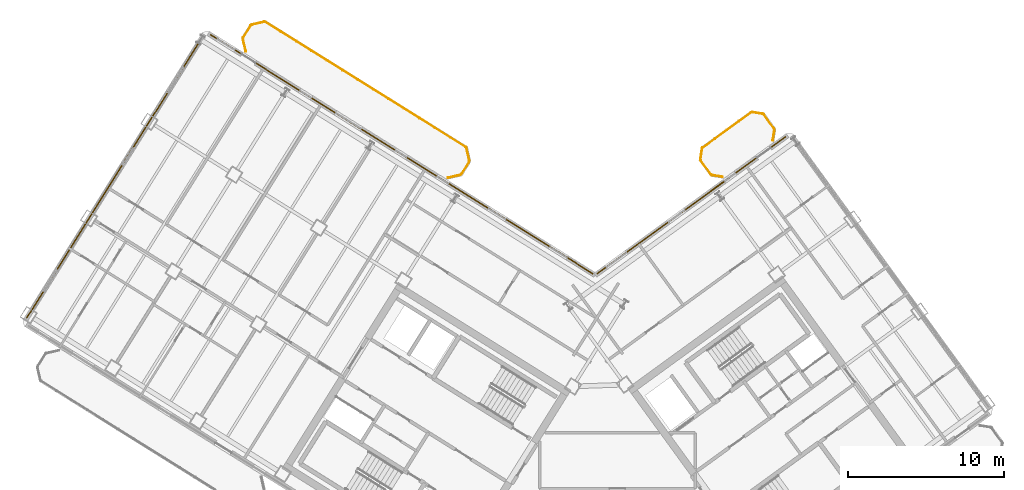
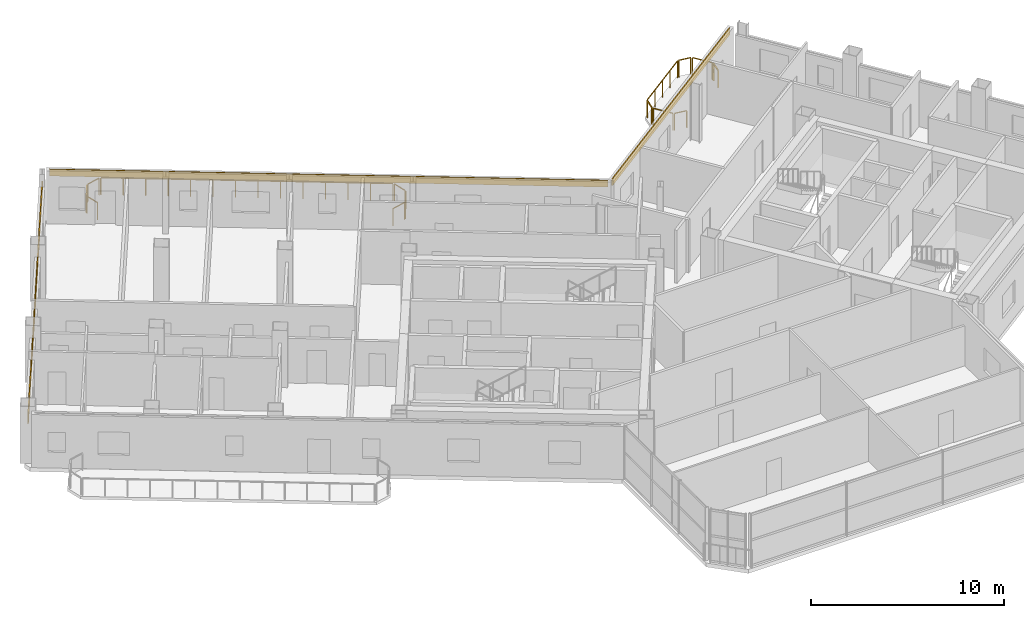
# One storey, part 21 of 21: 14 railings, 3 coverings.
"""IFC4 building model written with IfcOpenShell, lengths in metres."""

import ifcopenshell
import ifcopenshell.guid

model = None  # the IFC model being written
_history = None  # IfcOwnerHistory: only IFC2X3 demands one
_inside = {}  # id of a spatial element -> (the spatial element, [elements in it])
_under = {}  # id of a project, library or spatial element -> (it, [spatial elements below it])
_declared = {}  # id of a project -> (the project, [libraries it declares])
_typed = {}  # id of a type object -> (the type object, [elements of that type])
_made_of = {}  # id of a material, layer set ... -> (it, [elements and type objects made of it])


def new_model(schema):
    """Start an empty IFC model of exactly this schema.

    Asked for "IFC4X3", IfcOpenShell would pick the latest addendum, in which some entities
    have other attributes; the version numbers below select the first issue.
    IFC2X3 requires an IfcOwnerHistory on every rooted entity: one is made here for all.
    """
    global model, _history
    if schema == "IFC4X3":
        model = ifcopenshell.file(schema_version=(4, 3, 0, 0))
    else:
        model = ifcopenshell.file(schema=schema)
    _inside.clear()
    _under.clear()
    _declared.clear()
    _typed.clear()
    _made_of.clear()
    _history = None
    if model.schema == "IFC2X3":
        org = make("IfcOrganization", Name="unknown")
        user = make(
            "IfcPersonAndOrganization",
            ThePerson=make("IfcPerson", FamilyName="unknown"),
            TheOrganization=org,
        )
        app = make(
            "IfcApplication",
            ApplicationDeveloper=org,
            Version="unknown",
            ApplicationFullName="unknown",
            ApplicationIdentifier="unknown",
        )
        _history = make(
            "IfcOwnerHistory",
            OwningUser=user,
            OwningApplication=app,
            ChangeAction="ADDED",
            CreationDate=0,
        )
    return model


def make(cls, **values):
    """One entity of the class cls with the attributes given. An attribute that is None is left unset."""
    return model.create_entity(
        cls, **{name: value for name, value in values.items() if value is not None}
    )


def rooted(cls, **values):
    """An entity with a GlobalId (a new one), such as an element, a storey or a relation."""
    return make(cls, GlobalId=ifcopenshell.guid.new(), OwnerHistory=_history, **values)


def si_unit(unit_type, name, prefix=None):
    """IfcSIUnit, for example si_unit("LENGTHUNIT", "METRE", prefix="MILLI")."""
    return make("IfcSIUnit", UnitType=unit_type, Prefix=prefix, Name=name)


def assignment(units):
    """IfcUnitAssignment: the units of a project."""
    return None if units is None else make("IfcUnitAssignment", Units=units)


def point(xyz):
    """IfcCartesianPoint."""
    return None if xyz is None else make("IfcCartesianPoint", Coordinates=xyz)


def direction(xyz):
    """IfcDirection."""
    return None if xyz is None else make("IfcDirection", DirectionRatios=xyz)


def frame(location, z_axis=None, x_axis=None):
    """IfcAxis2Placement3D, a coordinate frame: its origin and axes. An axis left out is left unset."""
    return make(
        "IfcAxis2Placement3D",
        Location=point(location),
        Axis=direction(z_axis),
        RefDirection=direction(x_axis),
    )


def frame_2d(location, x_axis=None):
    """IfcAxis2Placement2D, a coordinate frame in the plane: its origin and x axis."""
    return make(
        "IfcAxis2Placement2D", Location=point(location), RefDirection=direction(x_axis)
    )


def origin():
    """The frame at (0, 0, 0) with its axes left unset."""
    return frame((0.0, 0.0, 0.0))


def origin_2d():
    """The frame at (0, 0) in the plane with its x axis left unset."""
    return frame_2d((0.0, 0.0))


def place(relative_to, where):
    """IfcLocalPlacement: puts the frame where relative to a parent placement (None: the world)."""
    return make(
        "IfcLocalPlacement", PlacementRelTo=relative_to, RelativePlacement=where
    )


def context(
    kind, dimensions, precision=None, world=None, true_north=None, identifier=None
):
    """IfcGeometricRepresentationContext, for example the 3D "Model" context."""
    return make(
        "IfcGeometricRepresentationContext",
        ContextIdentifier=identifier,
        ContextType=kind,
        CoordinateSpaceDimension=dimensions,
        Precision=precision,
        WorldCoordinateSystem=world,
        TrueNorth=true_north,
    )


def subcontext(parent, identifier, kind, view, scale=None):
    """IfcGeometricRepresentationSubContext, for example "Body" below "Model"."""
    return make(
        "IfcGeometricRepresentationSubContext",
        ContextIdentifier=identifier,
        ContextType=kind,
        ParentContext=parent,
        TargetScale=scale,
        TargetView=view,
    )


def project(units=None, contexts=None):
    """IfcProject with its units and contexts."""
    return rooted(
        "IfcProject",
        Name="project",
        RepresentationContexts=contexts,
        UnitsInContext=assignment(units),
    )


def spatial(cls, under=None, at=None, **own):
    """A site, building, storey or space (cls), placed at a placement, below another one or the project."""
    s = rooted(cls, ObjectPlacement=at, **own)
    if under is not None:
        _under.setdefault(under.id(), (under, []))[1].append(s)
    return s


def profile(cls, at=None, kind="AREA", **sizes):
    """A parametric profile (cls). Its sizes go by their IFC names, for example OverallWidth=200.0."""
    return make(cls, ProfileType=kind, Position=at, **sizes)


def rectangle(**sizes):
    """IfcRectangleProfileDef."""
    return profile("IfcRectangleProfileDef", **sizes)


def extrude(swept, where, along, depth):
    """IfcExtrudedAreaSolid: the profile swept, set in the frame where, extruded along a direction by depth."""
    return make(
        "IfcExtrudedAreaSolid",
        SweptArea=swept,
        Position=where,
        ExtrudedDirection=direction(along),
        Depth=depth,
    )


def shape(context_of_items, identifier, shape_type, items):
    """IfcShapeRepresentation: the items that make up one representation, for example the "Body"."""
    return make(
        "IfcShapeRepresentation",
        ContextOfItems=context_of_items,
        RepresentationIdentifier=identifier,
        RepresentationType=shape_type,
        Items=items,
    )


def source(mapping_origin, context_of_items, identifier, shape_type, items):
    """IfcRepresentationMap: a shape defined once, which mapped items show again and again."""
    return make(
        "IfcRepresentationMap",
        MappingOrigin=mapping_origin,
        MappedRepresentation=shape(context_of_items, identifier, shape_type, items),
    )


def transform(
    local_origin,
    x_axis=None,
    y_axis=None,
    z_axis=None,
    scale=None,
    scale2=None,
    scale3=None,
    uniform=True,
):
    """IfcCartesianTransformationOperator3D, or its non-uniform kind. x_axis, y_axis, z_axis: its Axis1, 2, 3."""
    if uniform:
        return make(
            "IfcCartesianTransformationOperator3D",
            Axis1=direction(x_axis),
            Axis2=direction(y_axis),
            LocalOrigin=point(local_origin),
            Scale=scale,
            Axis3=direction(z_axis),
        )
    return make(
        "IfcCartesianTransformationOperator3DnonUniform",
        Axis1=direction(x_axis),
        Axis2=direction(y_axis),
        LocalOrigin=point(local_origin),
        Scale=scale,
        Axis3=direction(z_axis),
        Scale2=scale2,
        Scale3=scale3,
    )


def mapped(mapping_source, mapping_target):
    """IfcMappedItem: shows the shape of a source again, moved by a transform."""
    return make(
        "IfcMappedItem", MappingSource=mapping_source, MappingTarget=mapping_target
    )


def material(Name=None, Category=None):
    """IfcMaterial."""
    return make("IfcMaterial", Name=Name, Category=Category)


def layer(
    of_material, thickness, ventilated=None, Name=None, Category=None, Priority=None
):
    """IfcMaterialLayer: one layer of a wall or slab, of a material (None: an air gap)."""
    return make(
        "IfcMaterialLayer",
        Material=of_material,
        LayerThickness=thickness,
        IsVentilated=ventilated,
        Name=Name,
        Category=Category,
        Priority=Priority,
    )


def layer_set(layers, Name=None):
    """IfcMaterialLayerSet."""
    return make("IfcMaterialLayerSet", MaterialLayers=layers, LayerSetName=Name)


def made_of(thing, what):
    """Note that an element or type object is made of a material, layer set ...; save() writes the relation."""
    if what is not None:
        _made_of.setdefault(what.id(), (what, []))[1].append(thing)
    return thing


def type_object(cls, material=None, **own):
    """A type object (cls), such as IfcWallType, which elements share."""
    return made_of(rooted(cls, **own), material)


def element(
    cls,
    number,
    at=None,
    inside=None,
    cuts=None,
    type_object=None,
    material=None,
    context=None,
    identifier="Body",
    shape_type=None,
    held_by="IfcProductDefinitionShape",
    body=None,
    shapes=None,
    **own,
):
    """One element of the class cls, such as IfcWall. Its Tag is "e" and its number.

    at: its placement. inside: the storey or other place that contains it. cuts: it is an
    opening in that element (IfcRelVoidsElement). A single representation is given by context,
    identifier, shape_type and body (its items); several are given by shapes. held_by: the class
    of the entity that holds the representations. save() writes the other relations.
    """
    e = rooted(cls, Tag="e%d" % number, ObjectPlacement=at, **own)
    if body is not None:
        shapes = [shape(context, identifier, shape_type, body)]
    if shapes is not None:
        e.Representation = make(held_by, Representations=shapes)
    if inside is not None:
        _inside.setdefault(inside.id(), (inside, []))[1].append(e)
    if cuts is not None:
        rooted(
            "IfcRelVoidsElement", RelatingBuildingElement=cuts, RelatedOpeningElement=e
        )
    if type_object is not None:
        _typed.setdefault(type_object.id(), (type_object, []))[1].append(e)
    return made_of(e, material)


def aggregate(whole, parts):
    """IfcRelAggregates: a whole, such as a stair, and the parts it consists of."""
    return rooted("IfcRelAggregates", RelatingObject=whole, RelatedObjects=parts)


def save(model, path):
    """Write the relations noted so far, then the file.

    IfcRelAggregates (storeys below a building ...), IfcRelContainedInSpatialStructure (elements
    in a storey), IfcRelDefinesByType, IfcRelAssociatesMaterial and IfcRelDeclares: one each for
    every whole, place, type object, material and project.
    """
    for whole, parts in _under.values():
        aggregate(whole, parts)
    for where, things in _inside.values():
        rooted(
            "IfcRelContainedInSpatialStructure",
            RelatedElements=things,
            RelatingStructure=where,
        )
    for kind, things in _typed.values():
        rooted("IfcRelDefinesByType", RelatedObjects=things, RelatingType=kind)
    for what, things in _made_of.values():
        rooted("IfcRelAssociatesMaterial", RelatedObjects=things, RelatingMaterial=what)
    for by, libraries in _declared.values():
        rooted("IfcRelDeclares", RelatingContext=by, RelatedDefinitions=libraries)
    model.write(path)


model = new_model("IFC4")

# Units and contexts
model_context = context("Model", 3, precision=1e-05, world=origin(), true_north=direction((0.0, 1.0)))
body_context = subcontext(model_context, "Body", "Model", "MODEL_VIEW")
ifc_project = project(units=[si_unit("LENGTHUNIT", "METRE"), si_unit("AREAUNIT", "SQUARE_METRE"), si_unit("VOLUMEUNIT", "CUBIC_METRE"), si_unit("PLANEANGLEUNIT", "RADIAN"), si_unit("MASSUNIT", "GRAM", prefix="KILO")], contexts=[model_context])

# Site, building, storey
site_placement = place(None, origin())
site = spatial("IfcSite", under=ifc_project, at=site_placement, CompositionType="ELEMENT")
building_placement = place(site_placement, origin())
building = spatial("IfcBuilding", under=site, at=building_placement, Name="Tlacorven Tower", CompositionType="ELEMENT")
storey_placement = place(building_placement, frame((0.0, 0.0, 214.800048828125)))
storey = spatial("IfcBuildingStorey", under=building, at=storey_placement, Name="L54", CompositionType="ELEMENT", Elevation=214.800048828125)

# Railings
ifc_material_1 = material(Name="Aluminium and painted steel balustrade", Category="steel")
railing_type = type_object("IfcRailingType", Name="RL-BAL-1100", PredefinedType="BALUSTRADE", material=ifc_material_1)
shared_shape_1 = source(origin(), body_context, "Body", "SweptSolid", [
    extrude(rectangle(XDim=0.048095703125, YDim=0.048095703125, at=origin_2d()), frame((0.0, 0.0, 1.076171875), z_axis=(0.974345290916, 0.225058334816, 0.0), x_axis=(-0.225058334816, 0.974345290916, 0.0)), (0.0, 0.0, 1.0), 0.80712890625),
    extrude(rectangle(XDim=0.0419921875, YDim=0.0419921875, at=origin_2d()), origin(), (0.0, 0.0, 1.0), 1.052001953125),
    extrude(rectangle(XDim=0.0419921875, YDim=0.0419921875, at=origin_2d()), frame((0.786376953125, 0.181640625, 0.0)), (0.0, 0.0, 1.0), 1.052001953125),
])
railing_1_placement = place(storey_placement, frame((20.2138671875, 47.643798828125, 0.0)))
element("IfcRailing", 1, at=railing_1_placement, inside=storey, type_object=railing_type, Name="BAL-L54-W-IN Guard Railing 6", PredefinedType="BALUSTRADE", context=body_context, shape_type="MappedRepresentation", body=[
    mapped(shared_shape_1, transform((0.0, 0.0, 0.0), scale=1.0)),
])
shared_shape_2 = source(origin(), body_context, "Body", "SweptSolid", [
    extrude(rectangle(XDim=0.048095703125, YDim=0.048095703125, at=origin_2d()), frame((0.0, 0.0, 1.076171875), z_axis=(-0.987661653326, 0.156602868908, 0.0), x_axis=(-0.156602868908, -0.987661653326, 0.0)), (0.0, 0.0, 1.0), 0.665771484375),
    extrude(rectangle(XDim=0.0419921875, YDim=0.0419921875, at=origin_2d()), origin(), (0.0, 0.0, 1.0), 1.052001953125),
    extrude(rectangle(XDim=0.0419921875, YDim=0.0419921875, at=origin_2d()), frame((-0.657470703125, 0.104248046875, 0.0)), (0.0, 0.0, 1.0), 1.052001953125),
])
railing_2_placement = place(storey_placement, frame((50.359130859375, 37.891845703125, 0.0)))
element("IfcRailing", 2, at=railing_2_placement, inside=storey, type_object=railing_type, Name="BAL-L54-E-IN Guard Railing 1", PredefinedType="BALUSTRADE", context=body_context, shape_type="MappedRepresentation", body=[
    mapped(shared_shape_2, transform((0.0, 0.0, 0.0), scale=1.0)),
])
shared_shape_3 = source(origin(), body_context, "Body", "SweptSolid", [
    extrude(rectangle(XDim=0.048095703125, YDim=0.048095703125, at=origin_2d()), frame((0.0, 0.0, 1.076171875), z_axis=(0.156602868908, 0.987661653326, 0.0), x_axis=(-0.987661653326, 0.156602868908, 0.0)), (0.0, 0.0, 1.0), 0.665771484375),
    extrude(rectangle(XDim=0.0419921875, YDim=0.0419921875, at=origin_2d()), origin(), (0.0, 0.0, 1.0), 1.052001953125),
    extrude(rectangle(XDim=0.0419921875, YDim=0.0419921875, at=origin_2d()), frame((0.104248046875, 0.657470703125, 0.0)), (0.0, 0.0, 1.0), 1.052001953125),
])
railing_3_placement = place(storey_placement, frame((48.947509765625, 39.033935546875, 0.0)))
element("IfcRailing", 3, at=railing_3_placement, inside=storey, type_object=railing_type, Name="BAL-L54-E-IN Guard Railing 3", PredefinedType="BALUSTRADE", context=body_context, shape_type="MappedRepresentation", body=[
    mapped(shared_shape_3, transform((0.0, 0.0, 0.0), scale=1.0)),
])
shared_shape_4 = source(origin(), body_context, "Body", "SweptSolid", [
    extrude(rectangle(XDim=0.048095703125, YDim=0.048095703125, at=origin_2d()), frame((0.0, 0.0, 1.076171875), z_axis=(-0.156245081039, -0.987718317463, 0.0), x_axis=(0.987718317463, -0.156245081039, 0.0)), (0.0, 0.0, 1.0), 0.66552734375),
    extrude(rectangle(XDim=0.0419921875, YDim=0.0419921875, at=origin_2d()), origin(), (0.0, 0.0, 1.0), 1.052001953125),
    extrude(rectangle(XDim=0.0419921875, YDim=0.0419921875, at=origin_2d()), frame((-0.10400390625, -0.657470703125, 0.0)), (0.0, 0.0, 1.0), 1.052001953125),
])
railing_4_placement = place(storey_placement, frame((53.689453125, 40.893310546875, 0.0)))
element("IfcRailing", 4, at=railing_4_placement, inside=storey, type_object=railing_type, Name="BAL-L54-E-IN Guard Railing 7", PredefinedType="BALUSTRADE", context=body_context, shape_type="MappedRepresentation", body=[
    mapped(shared_shape_4, transform((0.0, 0.0, 0.0), scale=1.0)),
])

# Covering
ifc_material_2 = material(Name="Precast concrete C45/55", Category="concrete")
ifc_layer = layer(ifc_material_2, 0.06005859375)
ifc_layer_set = layer_set([ifc_layer], Name="Precast concrete C45/55")
covering_type = type_object("IfcCoveringType", Name="CV-CLD-TERC", PredefinedType="CLADDING", material=ifc_layer_set)
shared_shape_5 = source(origin(), body_context, "Body", "SweptSolid", [
    extrude(rectangle(XDim=21.287353515625, YDim=0.06005859375, at=origin_2d()), origin(), (0.0, 0.0, 1.0), 0.419921875),
])
covering_1_placement = place(storey_placement, frame((11.419677734375, 37.864013671875, 2.405029296875), z_axis=(0.0, 0.0, 1.0), x_axis=(0.529919147866, 0.848048168871, 0.0)))
element("IfcCovering", 5, at=covering_1_placement, inside=storey, type_object=covering_type, Name="L54 Masonry-Frame Spandrel Cladding 2", PredefinedType="CLADDING", context=body_context, shape_type="MappedRepresentation", body=[
    mapped(shared_shape_5, transform((0.0, 0.0, 0.0), scale=1.0)),
])

# Railings
shared_shape_6 = source(origin(), body_context, "Body", "SweptSolid", [
    extrude(rectangle(XDim=0.048095703125, YDim=0.048095703125, at=origin_2d()), frame((0.0, 0.0, 1.076171875), z_axis=(0.529998940003, 0.847998304005, 0.0), x_axis=(-0.847998304005, 0.529998940003, 0.0)), (0.0, 0.0, 1.0), 0.912109375),
    extrude(rectangle(XDim=0.0419921875, YDim=0.0419921875, at=origin_2d()), origin(), (0.0, 0.0, 1.0), 1.052001953125),
    extrude(rectangle(XDim=0.0419921875, YDim=0.0419921875, at=origin_2d()), frame((0.4833984375, 0.7734375, 0.0)), (0.0, 0.0, 1.0), 1.052001953125),
])
railing_5_placement = place(storey_placement, frame((19.6552734375, 46.816650390625, 0.0)))
element("IfcRailing", 6, at=railing_5_placement, inside=storey, type_object=railing_type, Name="BAL-L54-W-IN Guard Railing 5", PredefinedType="BALUSTRADE", context=body_context, shape_type="MappedRepresentation", body=[
    mapped(shared_shape_6, transform((0.0, 0.0, 0.0), scale=1.0)),
])
shared_shape_7 = source(origin(), body_context, "Body", "SweptSolid", [
    extrude(rectangle(XDim=0.048095703125, YDim=0.048095703125, at=origin_2d()), frame((0.0, 0.0, 1.076171875), z_axis=(0.224992020761, -0.974360606036, 0.0), x_axis=(0.974360606036, 0.224992020761, 0.0)), (0.0, 0.0, 1.0), 0.807373046875),
    extrude(rectangle(XDim=0.0419921875, YDim=0.0419921875, at=origin_2d()), origin(), (0.0, 0.0, 1.0), 1.052001953125),
    extrude(rectangle(XDim=0.0419921875, YDim=0.0419921875, at=origin_2d()), frame((0.181640625, -0.78662109375, 0.0)), (0.0, 0.0, 1.0), 1.052001953125),
])
railing_6_placement = place(storey_placement, frame((33.965087890625, 39.72412109375, 0.0)))
element("IfcRailing", 7, at=railing_6_placement, inside=storey, type_object=railing_type, Name="BAL-L54-W-IN Guard Railing 1", PredefinedType="BALUSTRADE", context=body_context, shape_type="MappedRepresentation", body=[
    mapped(shared_shape_7, transform((0.0, 0.0, 0.0), scale=1.0)),
])
shared_shape_8 = source(origin(), body_context, "Body", "SweptSolid", [
    extrude(rectangle(XDim=0.048095703125, YDim=0.048095703125, at=origin_2d()), frame((0.0, 0.0, 1.076171875), z_axis=(-0.529998940003, -0.847998304005, 0.0), x_axis=(0.847998304005, -0.529998940003, 0.0)), (0.0, 0.0, 1.0), 0.912109375),
    extrude(rectangle(XDim=0.0419921875, YDim=0.0419921875, at=origin_2d()), origin(), (0.0, 0.0, 1.0), 1.052001953125),
    extrude(rectangle(XDim=0.0419921875, YDim=0.0419921875, at=origin_2d()), frame((-0.4833984375, -0.7734375, 0.0)), (0.0, 0.0, 1.0), 1.052001953125),
])
railing_7_placement = place(storey_placement, frame((34.131591796875, 38.846435546875, 0.0)))
element("IfcRailing", 8, at=railing_7_placement, inside=storey, type_object=railing_type, Name="BAL-L54-W-IN Guard Railing 2", PredefinedType="BALUSTRADE", context=body_context, shape_type="MappedRepresentation", body=[
    mapped(shared_shape_8, transform((0.0, 0.0, 0.0), scale=1.0)),
])
shared_shape_9 = source(origin(), body_context, "Body", "SweptSolid", [
    extrude(rectangle(XDim=0.048095703125, YDim=0.048095703125, at=origin_2d()), frame((0.0, 0.0, 1.076171875), z_axis=(-0.974360606036, -0.224992020761, 0.0), x_axis=(0.224992020761, -0.974360606036, 0.0)), (0.0, 0.0, 1.0), 0.807373046875),
    extrude(rectangle(XDim=0.0419921875, YDim=0.0419921875, at=origin_2d()), origin(), (0.0, 0.0, 1.0), 1.052001953125),
    extrude(rectangle(XDim=0.0419921875, YDim=0.0419921875, at=origin_2d()), frame((-0.78662109375, -0.181640625, 0.0)), (0.0, 0.0, 1.0), 1.052001953125),
])
railing_8_placement = place(storey_placement, frame((33.572998046875, 38.019287109375, 0.0)))
element("IfcRailing", 9, at=railing_8_placement, inside=storey, type_object=railing_type, Name="BAL-L54-W-IN Guard Railing 3", PredefinedType="BALUSTRADE", context=body_context, shape_type="MappedRepresentation", body=[
    mapped(shared_shape_9, transform((0.0, 0.0, 0.0), scale=1.0)),
])
shared_shape_10 = source(origin(), body_context, "Body", "SweptSolid", [
    extrude(rectangle(XDim=0.048095703125, YDim=0.048095703125, at=origin_2d()), frame((0.0, 0.0, 1.076171875), z_axis=(-0.22470489119, 0.974426863277, 0.0), x_axis=(-0.974426863277, -0.22470489119, 0.0)), (0.0, 0.0, 1.0), 0.807373046875),
    extrude(rectangle(XDim=0.0419921875, YDim=0.0419921875, at=origin_2d()), origin(), (0.0, 0.0, 1.0), 1.052001953125),
    extrude(rectangle(XDim=0.0419921875, YDim=0.0419921875, at=origin_2d()), frame((-0.181396484375, 0.78662109375, 0.0)), (0.0, 0.0, 1.0), 1.052001953125),
])
railing_9_placement = place(storey_placement, frame((19.821533203125, 45.93896484375, 0.0)))
element("IfcRailing", 10, at=railing_9_placement, inside=storey, type_object=railing_type, Name="BAL-L54-W-IN Guard Railing 4", PredefinedType="BALUSTRADE", context=body_context, shape_type="MappedRepresentation", body=[
    mapped(shared_shape_10, transform((0.0, 0.0, 0.0), scale=1.0)),
])
shared_shape_11 = source(origin(), body_context, "Body", "SweptSolid", [
    extrude(rectangle(XDim=0.048095703125, YDim=0.048095703125, at=origin_2d()), frame((0.0, 0.0, 1.076171875), z_axis=(0.848051830527, -0.529913287944, 0.0), x_axis=(0.529913287944, 0.848051830527, 0.0)), (0.0, 0.0, 1.0), 15.1171875),
    extrude(rectangle(XDim=0.0419921875, YDim=0.0419921875, at=origin_2d()), origin(), (0.0, 0.0, 1.0), 1.052001953125),
    extrude(rectangle(XDim=0.0419921875, YDim=0.0419921875, at=origin_2d()), frame((0.986083984375, -0.6162109375, 0.0)), (0.0, 0.0, 1.0), 1.052001953125),
    extrude(rectangle(XDim=0.0419921875, YDim=0.0419921875, at=origin_2d()), frame((1.972412109375, -1.232421875, 0.0)), (0.0, 0.0, 1.0), 1.052001953125),
    extrude(rectangle(XDim=0.0419921875, YDim=0.0419921875, at=origin_2d()), frame((2.95849609375, -1.8486328125, 0.0)), (0.0, 0.0, 1.0), 1.052001953125),
    extrude(rectangle(XDim=0.0419921875, YDim=0.0419921875, at=origin_2d()), frame((3.944580078125, -2.46484375, 0.0)), (0.0, 0.0, 1.0), 1.052001953125),
    extrude(rectangle(XDim=0.0419921875, YDim=0.0419921875, at=origin_2d()), frame((4.930908203125, -3.0810546875, 0.0)), (0.0, 0.0, 1.0), 1.052001953125),
    extrude(rectangle(XDim=0.0419921875, YDim=0.0419921875, at=origin_2d()), frame((5.9169921875, -3.697265625, 0.0)), (0.0, 0.0, 1.0), 1.052001953125),
    extrude(rectangle(XDim=0.0419921875, YDim=0.0419921875, at=origin_2d()), frame((6.903076171875, -4.3134765625, 0.0)), (0.0, 0.0, 1.0), 1.052001953125),
    extrude(rectangle(XDim=0.0419921875, YDim=0.0419921875, at=origin_2d()), frame((7.88916015625, -4.9296875, 0.0)), (0.0, 0.0, 1.0), 1.052001953125),
    extrude(rectangle(XDim=0.0419921875, YDim=0.0419921875, at=origin_2d()), frame((8.87548828125, -5.5458984375, 0.0)), (0.0, 0.0, 1.0), 1.052001953125),
    extrude(rectangle(XDim=0.0419921875, YDim=0.0419921875, at=origin_2d()), frame((9.861572265625, -6.162109375, 0.0)), (0.0, 0.0, 1.0), 1.052001953125),
    extrude(rectangle(XDim=0.0419921875, YDim=0.0419921875, at=origin_2d()), frame((10.84765625, -6.7783203125, 0.0)), (0.0, 0.0, 1.0), 1.052001953125),
    extrude(rectangle(XDim=0.0419921875, YDim=0.0419921875, at=origin_2d()), frame((11.833984375, -7.39453125, 0.0)), (0.0, 0.0, 1.0), 1.052001953125),
    extrude(rectangle(XDim=0.0419921875, YDim=0.0419921875, at=origin_2d()), frame((12.820068359375, -8.0107421875, 0.0)), (0.0, 0.0, 1.0), 1.052001953125),
])
railing_10_placement = place(storey_placement, frame((21.091552734375, 47.81005859375, 0.0)))
element("IfcRailing", 11, at=railing_10_placement, inside=storey, type_object=railing_type, Name="BAL-L54-W-IN Guard Railing 7", PredefinedType="BALUSTRADE", context=body_context, shape_type="MappedRepresentation", body=[
    mapped(shared_shape_11, transform((0.0, 0.0, 0.0), scale=1.0)),
])
shared_shape_12 = source(origin(), body_context, "Body", "SweptSolid", [
    extrude(rectangle(XDim=0.048095703125, YDim=0.048095703125, at=origin_2d()), frame((0.0, 0.0, 1.076171875), z_axis=(-0.587636431696, 0.809125097957, 0.0), x_axis=(-0.809125097957, -0.587636431696, 0.0)), (0.0, 0.0, 1.0), 1.1123046875),
    extrude(rectangle(XDim=0.0419921875, YDim=0.0419921875, at=origin_2d()), origin(), (0.0, 0.0, 1.0), 1.052001953125),
    extrude(rectangle(XDim=0.0419921875, YDim=0.0419921875, at=origin_2d()), frame((-0.653564453125, 0.89990234375, 0.0)), (0.0, 0.0, 1.0), 1.052001953125),
])
railing_11_placement = place(storey_placement, frame((49.622802734375, 38.044189453125, 0.0)))
element("IfcRailing", 12, at=railing_11_placement, inside=storey, type_object=railing_type, Name="BAL-L54-E-IN Guard Railing 2", PredefinedType="BALUSTRADE", context=body_context, shape_type="MappedRepresentation", body=[
    mapped(shared_shape_12, transform((0.0, 0.0, 0.0), scale=1.0)),
])
shared_shape_13 = source(origin(), body_context, "Body", "SweptSolid", [
    extrude(rectangle(XDim=0.048095703125, YDim=0.048095703125, at=origin_2d()), frame((0.0, 0.0, 1.076171875), z_axis=(0.809018102573, 0.587783726986, 0.0), x_axis=(-0.587783726986, 0.809018102573, 0.0)), (0.0, 0.0, 1.0), 3.817138671875),
    extrude(rectangle(XDim=0.0419921875, YDim=0.0419921875, at=origin_2d()), origin(), (0.0, 0.0, 1.0), 1.052001953125),
    extrude(rectangle(XDim=0.0419921875, YDim=0.0419921875, at=origin_2d()), frame((0.77197265625, 0.56103515625, 0.0)), (0.0, 0.0, 1.0), 1.052001953125),
    extrude(rectangle(XDim=0.0419921875, YDim=0.0419921875, at=origin_2d()), frame((1.5439453125, 1.121826171875, 0.0)), (0.0, 0.0, 1.0), 1.052001953125),
    extrude(rectangle(XDim=0.0419921875, YDim=0.0419921875, at=origin_2d()), frame((2.316162109375, 1.6826171875, 0.0)), (0.0, 0.0, 1.0), 1.052001953125),
    extrude(rectangle(XDim=0.0419921875, YDim=0.0419921875, at=origin_2d()), frame((3.088134765625, 2.24365234375, 0.0)), (0.0, 0.0, 1.0), 1.052001953125),
])
railing_12_placement = place(storey_placement, frame((49.10009765625, 39.77001953125, 0.0)))
element("IfcRailing", 13, at=railing_12_placement, inside=storey, type_object=railing_type, Name="BAL-L54-E-IN Guard Railing 4", PredefinedType="BALUSTRADE", context=body_context, shape_type="MappedRepresentation", body=[
    mapped(shared_shape_13, transform((0.0, 0.0, 0.0), scale=1.0)),
])
shared_shape_14 = source(origin(), body_context, "Body", "SweptSolid", [
    extrude(rectangle(XDim=0.048095703125, YDim=0.048095703125, at=origin_2d()), frame((0.0, 0.0, 1.076171875), z_axis=(0.987661653326, -0.156602868908, 0.0), x_axis=(0.156602868908, 0.987661653326, 0.0)), (0.0, 0.0, 1.0), 0.665771484375),
    extrude(rectangle(XDim=0.0419921875, YDim=0.0419921875, at=origin_2d()), origin(), (0.0, 0.0, 1.0), 1.052001953125),
    extrude(rectangle(XDim=0.0419921875, YDim=0.0419921875, at=origin_2d()), frame((0.657470703125, -0.104248046875, 0.0)), (0.0, 0.0, 1.0), 1.052001953125),
])
railing_13_placement = place(storey_placement, frame((52.278076171875, 42.035400390625, 0.0)))
element("IfcRailing", 14, at=railing_13_placement, inside=storey, type_object=railing_type, Name="BAL-L54-E-IN Guard Railing 5", PredefinedType="BALUSTRADE", context=body_context, shape_type="MappedRepresentation", body=[
    mapped(shared_shape_14, transform((0.0, 0.0, 0.0), scale=1.0)),
])
shared_shape_15 = source(origin(), body_context, "Body", "SweptSolid", [
    extrude(rectangle(XDim=0.048095703125, YDim=0.048095703125, at=origin_2d()), frame((0.0, 0.0, 1.076171875), z_axis=(0.587780115446, -0.809020726488, 0.0), x_axis=(0.809020726488, 0.587780115446, 0.0)), (0.0, 0.0, 1.0), 1.1123046875),
    extrude(rectangle(XDim=0.0419921875, YDim=0.0419921875, at=origin_2d()), origin(), (0.0, 0.0, 1.0), 1.052001953125),
    extrude(rectangle(XDim=0.0419921875, YDim=0.0419921875, at=origin_2d()), frame((0.65380859375, -0.89990234375, 0.0)), (0.0, 0.0, 1.0), 1.052001953125),
])
railing_14_placement = place(storey_placement, frame((53.01416015625, 41.883056640625, 0.0)))
element("IfcRailing", 15, at=railing_14_placement, inside=storey, type_object=railing_type, Name="BAL-L54-E-IN Guard Railing 6", PredefinedType="BALUSTRADE", context=body_context, shape_type="MappedRepresentation", body=[
    mapped(shared_shape_15, transform((0.0, 0.0, 0.0), scale=1.0)),
])

# Coverings
shared_shape_16 = source(origin(), body_context, "Body", "SweptSolid", [
    extrude(rectangle(XDim=28.923095703125, YDim=0.06005859375, at=origin_2d()), origin(), (0.0, 0.0, 1.0), 0.419921875),
])
covering_2_placement = place(storey_placement, frame((29.815185546875, 39.34033203125, 2.929931640625), z_axis=(0.0, 0.0, 1.0), x_axis=(0.848048220257, -0.52991906563, 0.0)))
element("IfcCovering", 16, at=covering_2_placement, inside=storey, type_object=covering_type, Name="L54 Masonry-Frame Spandrel Cladding 3", PredefinedType="CLADDING", context=body_context, shape_type="MappedRepresentation", body=[
    mapped(shared_shape_16, transform((0.0, 0.0, 0.0), scale=1.0)),
])
shared_shape_17 = source(origin(), body_context, "Body", "SweptSolid", [
    extrude(rectangle(XDim=14.923095703125, YDim=0.06005859375, at=origin_2d()), origin(), (0.0, 0.0, 1.0), 0.419921875),
])
covering_3_placement = place(storey_placement, frame((48.3642578125, 36.0712890625, 2.929931640625), z_axis=(0.0, 0.0, 1.0), x_axis=(0.809016703631, 0.587785652468, 0.0)))
element("IfcCovering", 17, at=covering_3_placement, inside=storey, type_object=covering_type, Name="L54 Masonry-Frame Spandrel Cladding 4", PredefinedType="CLADDING", context=body_context, shape_type="MappedRepresentation", body=[
    mapped(shared_shape_17, transform((0.0, 0.0, 0.0), scale=1.0)),
])

save(model, "model.ifc")
